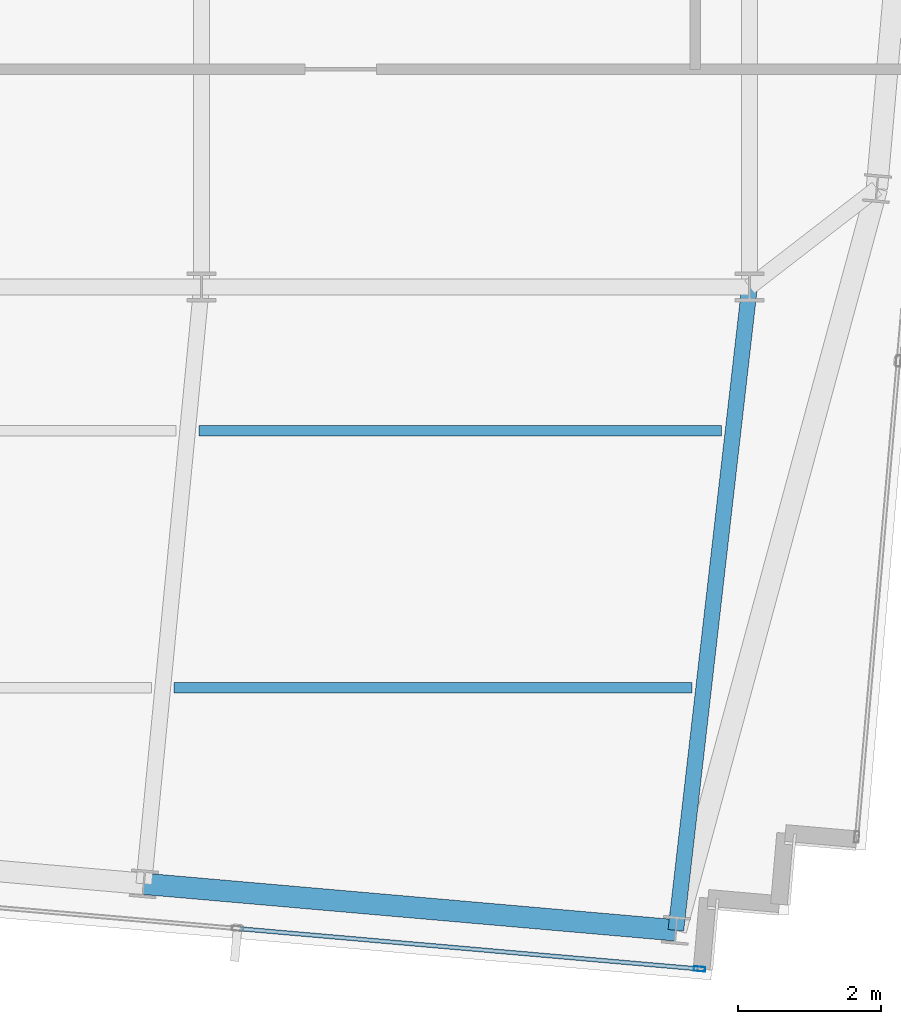
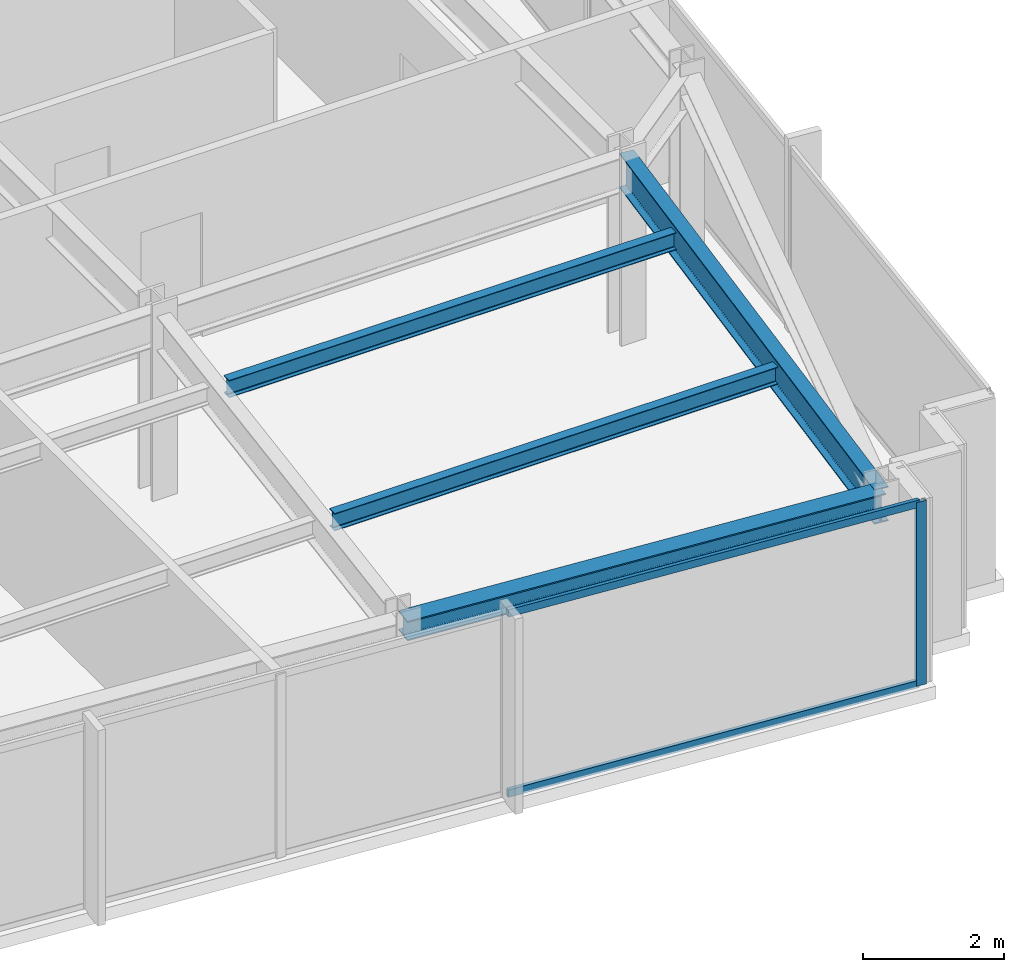
# One storey, part 14 of 32: 4 beams, 3 members, 1 element without a shape of its own.
"""IFC4 building model written with IfcOpenShell, lengths in metres."""

from ifc_helpers import new_model, si_unit, direction, frame, origin, origin_2d, place, context, subcontext, project, spatial, hollow_rectangle, i_section, extrude, material, material_profile, profile_set, type_object, element, aggregate, save


model = new_model("IFC4")

# Units and contexts
model_context = context("Model", 3, precision=1e-05, world=origin(), true_north=direction((0.0, 1.0)))
body_context = subcontext(model_context, "Body", "Model", "MODEL_VIEW")
ifc_project = project(units=[si_unit("LENGTHUNIT", "METRE"), si_unit("AREAUNIT", "SQUARE_METRE"), si_unit("VOLUMEUNIT", "CUBIC_METRE"), si_unit("PLANEANGLEUNIT", "RADIAN"), si_unit("MASSUNIT", "GRAM", prefix="KILO")], contexts=[model_context])

# Site, building, storey
site_placement = place(None, origin())
site = spatial("IfcSite", under=ifc_project, at=site_placement, CompositionType="ELEMENT")
building_placement = place(site_placement, origin())
building = spatial("IfcBuilding", under=site, at=building_placement, Name="Yelkora Congress Tower", CompositionType="ELEMENT")
storey_placement = place(building_placement, frame((0.0, 0.0, 265.89990234375)))
storey = spatial("IfcBuildingStorey", under=building, at=storey_placement, Name="L74", CompositionType="ELEMENT", Elevation=265.89990234375)

# Beams
ifc_material_1 = material(Name="Steel S355J2", Category="steel")
ifc_material_profile_1 = material_profile(ifc_material_1, i_section(OverallWidth=0.219970703125, OverallDepth=0.60009765625, WebThickness=0.011962890625, FlangeThickness=0.01904296875, FilletRadius=0.02392578125, at=origin_2d()), Name="IPE 600")
ifc_profile_set_1 = profile_set([ifc_material_profile_1], Name="Steel S355J2")
beam_type_1 = type_object("IfcBeamType", Name="BM-GIRD-IPE600", PredefinedType="BEAM", material=ifc_profile_set_1)
beam_1_placement = place(storey_placement, frame((52.727294921875, 16.1845703125, 2.880126953125), z_axis=(0.113806093355, 0.993502980929, 0.0), x_axis=(-0.993502980929, 0.113806093355, 0.0)))
element("IfcBeam", 1, at=beam_1_placement, inside=storey, type_object=beam_type_1, Name="L74 Primary Frame Girder S07", PredefinedType="BEAM", context=body_context, shape_type="SweptSolid", body=[
    extrude(i_section(OverallWidth=0.219970703125, OverallDepth=0.60009765625, WebThickness=0.011962890625, FlangeThickness=0.01904296875, FilletRadius=0.02392578125, at=origin_2d()), origin(), (0.0, 0.0, 1.0), 9.07421875),
])
ifc_material_profile_2 = material_profile(ifc_material_1, i_section(OverallWidth=0.14990234375, OverallDepth=0.300048828125, WebThickness=0.007080078125, FlangeThickness=0.0107421875, FilletRadius=0.014892578125, at=origin_2d()), Name="IPE 300")
ifc_profile_set_2 = profile_set([ifc_material_profile_2], Name="Steel S355J2")
beam_type_2 = type_object("IfcBeamType", Name="BM-JOIST-IPE300", PredefinedType="JOIST", material=ifc_profile_set_2)
beam_2_placement = place(storey_placement, frame((45.69775390625, 19.58447265625, 3.030029296875), z_axis=(1.0, 0.0, 0.0), x_axis=(0.0, 1.0, 0.0)))
element("IfcBeam", 2, at=beam_2_placement, inside=storey, type_object=beam_type_2, Name="L74 Composite Floor Joist 4", PredefinedType="JOIST", context=body_context, shape_type="SweptSolid", body=[
    extrude(i_section(OverallWidth=0.14990234375, OverallDepth=0.300048828125, WebThickness=0.007080078125, FlangeThickness=0.0107421875, FilletRadius=0.014892578125, at=origin_2d()), origin(), (0.0, 0.0, 1.0), 7.259033203125),
])
beam_3_placement = place(storey_placement, frame((46.04541015625, 23.1845703125, 3.030029296875), z_axis=(1.0, 0.0, 0.0), x_axis=(0.0, 1.0, 0.0)))
element("IfcBeam", 3, at=beam_3_placement, inside=storey, type_object=beam_type_2, Name="L74 Composite Floor Joist 8", PredefinedType="JOIST", context=body_context, shape_type="SweptSolid", body=[
    extrude(i_section(OverallWidth=0.14990234375, OverallDepth=0.300048828125, WebThickness=0.007080078125, FlangeThickness=0.0107421875, FilletRadius=0.014892578125, at=origin_2d()), origin(), (0.0, 0.0, 1.0), 7.32373046875),
])
ifc_material_profile_3 = material_profile(ifc_material_1, i_section(OverallWidth=0.300048828125, OverallDepth=0.340087890625, WebThickness=0.011962890625, FlangeThickness=0.021484375, FilletRadius=0.027099609375, at=origin_2d()), Name="HEB 340")
ifc_profile_set_3 = profile_set([ifc_material_profile_3], Name="Steel S355J2")
beam_type_3 = type_object("IfcBeamType", Name="BM-SPAN-HEB340", PredefinedType="SPANDREL", material=ifc_profile_set_3)
beam_4_placement = place(storey_placement, frame((45.2724609375, 16.836669921875, 3.010009765625), z_axis=(0.99619601894, -0.087140644067, 0.0), x_axis=(0.087140644067, 0.99619601894, 0.0)))
element("IfcBeam", 4, at=beam_4_placement, inside=storey, type_object=beam_type_3, Name="L74 Perimeter Beam 6", PredefinedType="SPANDREL", context=body_context, shape_type="SweptSolid", body=[
    extrude(i_section(OverallWidth=0.300048828125, OverallDepth=0.340087890625, WebThickness=0.011962890625, FlangeThickness=0.021484375, FilletRadius=0.027099609375, at=origin_2d()), origin(), (0.0, 0.0, 1.0), 7.4833984375),
])

# Curtain wall, members
ifc_material_2 = material(Name="Anodised aluminium and insulated glass", Category="aluminium")
curtain_wall_type = type_object("IfcCurtainWallType", Name="CW-SYS-B5", PredefinedType="NOTDEFINED", material=ifc_material_2)
curtain_wall_placement = place(storey_placement, origin())
curtain_wall = element("IfcCurtainWall", 5, at=curtain_wall_placement, inside=storey, type_object=curtain_wall_type, Name="L74 Unitised Curtain Wall 20", PredefinedType="NOTDEFINED")
ifc_material_3 = material(Name="Anodised aluminium 6063-T6", Category="aluminium")
ifc_material_profile_4 = material_profile(ifc_material_3, hollow_rectangle(XDim=0.06494140625, YDim=0.159912109375, WallThickness=0.00390625, at=origin_2d()), Name="ALU 65x160x4")
ifc_profile_set_4 = profile_set([ifc_material_profile_4], Name="Anodised aluminium 6063-T6")
member_type_1 = type_object("IfcMemberType", Name="MEM-ML-B5", PredefinedType="MULLION", material=ifc_profile_set_4)
member_1_placement = place(storey_placement, frame((53.058837890625, 15.6435546875, 0.0), z_axis=(0.0, 0.0, 1.0), x_axis=(-0.087156829793, -0.996194602987, 0.0)))
member_1 = element("IfcMember", 6, at=member_1_placement, type_object=member_type_1, Name="CW-B5 mullion 1", PredefinedType="MULLION", context=body_context, shape_type="SweptSolid", body=[
    extrude(hollow_rectangle(XDim=0.06494140625, YDim=0.159912109375, WallThickness=0.00390625, at=origin_2d()), origin(), (0.0, 0.0, 1.0), 3.18017578125),
])
ifc_material_profile_5 = material_profile(ifc_material_3, hollow_rectangle(XDim=0.06005859375, YDim=0.1298828125, WallThickness=0.00390625, at=origin_2d()), Name="ALU 60x130x4")
ifc_profile_set_5 = profile_set([ifc_material_profile_5], Name="Anodised aluminium 6063-T6")
member_type_2 = type_object("IfcMemberType", Name="MEM-TR-B5", PredefinedType="USERDEFINED", material=ifc_profile_set_5)
member_2_placement = place(storey_placement, frame((53.0263671875, 15.646484375, 0.030029296875), z_axis=(-0.996197464696, 0.087124114537, 0.0), x_axis=(-0.087124114537, -0.996197464696, 0.0)))
member_2 = element("IfcMember", 7, at=member_2_placement, type_object=member_type_2, Name="CW-B5 transom 1.1", ObjectType="TRANSOM", PredefinedType="USERDEFINED", context=body_context, shape_type="SweptSolid", body=[
    extrude(hollow_rectangle(XDim=0.06005859375, YDim=0.1298828125, WallThickness=0.00390625, at=origin_2d()), origin(), (0.0, 0.0, 1.0), 6.433837890625),
])
member_3_placement = place(storey_placement, frame((53.0263671875, 15.646484375, 3.150146484375), z_axis=(-0.996197464696, 0.087124114537, 0.0), x_axis=(-0.087124114537, -0.996197464696, 0.0)))
member_3 = element("IfcMember", 8, at=member_3_placement, type_object=member_type_2, Name="CW-B5 transom 1.2", ObjectType="TRANSOM", PredefinedType="USERDEFINED", context=body_context, shape_type="SweptSolid", body=[
    extrude(hollow_rectangle(XDim=0.06005859375, YDim=0.1298828125, WallThickness=0.00390625, at=origin_2d()), origin(), (0.0, 0.0, 1.0), 6.433837890625),
])
aggregate(curtain_wall, [member_1, member_2, member_3])

save(model, "model.ifc")
